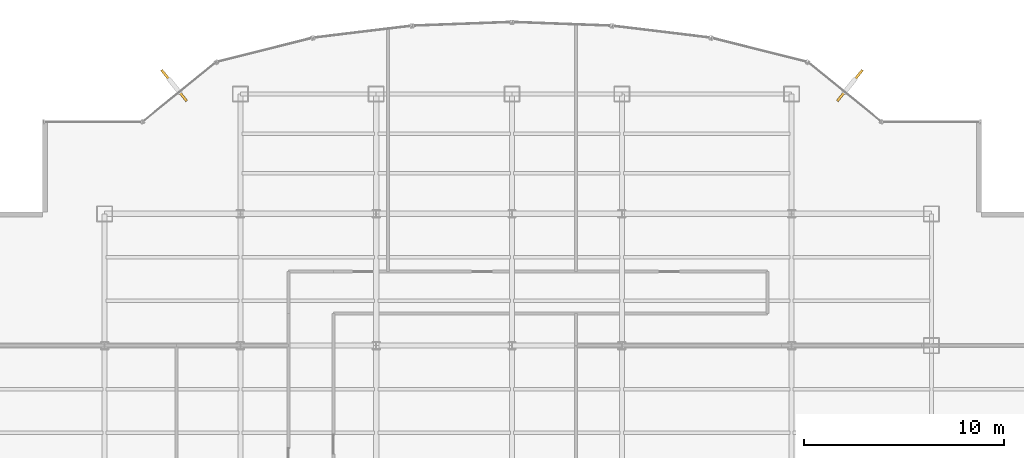
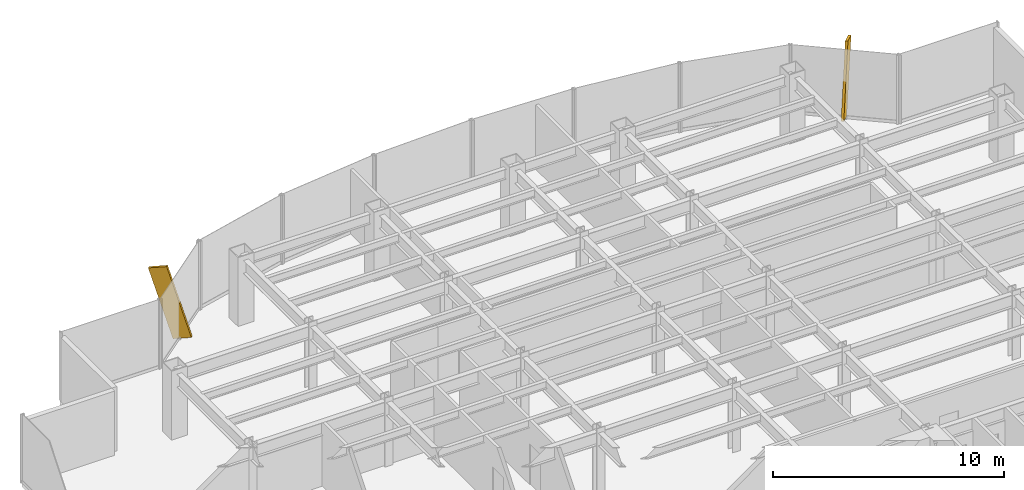
# One storey, part 25 of 26: 2 shading devices.
"""IFC4 building model written with IfcOpenShell, lengths in metres."""

import ifcopenshell
import ifcopenshell.guid

model = None  # the IFC model being written
_history = None  # IfcOwnerHistory: only IFC2X3 demands one
_inside = {}  # id of a spatial element -> (the spatial element, [elements in it])
_under = {}  # id of a project, library or spatial element -> (it, [spatial elements below it])
_declared = {}  # id of a project -> (the project, [libraries it declares])
_typed = {}  # id of a type object -> (the type object, [elements of that type])
_made_of = {}  # id of a material, layer set ... -> (it, [elements and type objects made of it])


def new_model(schema):
    """Start an empty IFC model of exactly this schema.

    Asked for "IFC4X3", IfcOpenShell would pick the latest addendum, in which some entities
    have other attributes; the version numbers below select the first issue.
    IFC2X3 requires an IfcOwnerHistory on every rooted entity: one is made here for all.
    """
    global model, _history
    if schema == "IFC4X3":
        model = ifcopenshell.file(schema_version=(4, 3, 0, 0))
    else:
        model = ifcopenshell.file(schema=schema)
    _inside.clear()
    _under.clear()
    _declared.clear()
    _typed.clear()
    _made_of.clear()
    _history = None
    if model.schema == "IFC2X3":
        org = make("IfcOrganization", Name="unknown")
        user = make(
            "IfcPersonAndOrganization",
            ThePerson=make("IfcPerson", FamilyName="unknown"),
            TheOrganization=org,
        )
        app = make(
            "IfcApplication",
            ApplicationDeveloper=org,
            Version="unknown",
            ApplicationFullName="unknown",
            ApplicationIdentifier="unknown",
        )
        _history = make(
            "IfcOwnerHistory",
            OwningUser=user,
            OwningApplication=app,
            ChangeAction="ADDED",
            CreationDate=0,
        )
    return model


def make(cls, **values):
    """One entity of the class cls with the attributes given. An attribute that is None is left unset."""
    return model.create_entity(
        cls, **{name: value for name, value in values.items() if value is not None}
    )


def rooted(cls, **values):
    """An entity with a GlobalId (a new one), such as an element, a storey or a relation."""
    return make(cls, GlobalId=ifcopenshell.guid.new(), OwnerHistory=_history, **values)


def si_unit(unit_type, name, prefix=None):
    """IfcSIUnit, for example si_unit("LENGTHUNIT", "METRE", prefix="MILLI")."""
    return make("IfcSIUnit", UnitType=unit_type, Prefix=prefix, Name=name)


def derived_unit(unit_type, elements):
    """IfcDerivedUnit: a product of units, each with its exponent."""
    return make(
        "IfcDerivedUnit",
        Elements=[
            make("IfcDerivedUnitElement", Unit=unit, Exponent=power)
            for unit, power in elements
        ],
        UnitType=unit_type,
    )


def assignment(units):
    """IfcUnitAssignment: the units of a project."""
    return None if units is None else make("IfcUnitAssignment", Units=units)


def point(xyz):
    """IfcCartesianPoint."""
    return None if xyz is None else make("IfcCartesianPoint", Coordinates=xyz)


def direction(xyz):
    """IfcDirection."""
    return None if xyz is None else make("IfcDirection", DirectionRatios=xyz)


def frame(location, z_axis=None, x_axis=None):
    """IfcAxis2Placement3D, a coordinate frame: its origin and axes. An axis left out is left unset."""
    return make(
        "IfcAxis2Placement3D",
        Location=point(location),
        Axis=direction(z_axis),
        RefDirection=direction(x_axis),
    )


def frame_2d(location, x_axis=None):
    """IfcAxis2Placement2D, a coordinate frame in the plane: its origin and x axis."""
    return make(
        "IfcAxis2Placement2D", Location=point(location), RefDirection=direction(x_axis)
    )


def origin():
    """The frame at (0, 0, 0) with its axes left unset."""
    return frame((0.0, 0.0, 0.0))


def origin_2d():
    """The frame at (0, 0) in the plane with its x axis left unset."""
    return frame_2d((0.0, 0.0))


def place(relative_to, where):
    """IfcLocalPlacement: puts the frame where relative to a parent placement (None: the world)."""
    return make(
        "IfcLocalPlacement", PlacementRelTo=relative_to, RelativePlacement=where
    )


def context(
    kind, dimensions, precision=None, world=None, true_north=None, identifier=None
):
    """IfcGeometricRepresentationContext, for example the 3D "Model" context."""
    return make(
        "IfcGeometricRepresentationContext",
        ContextIdentifier=identifier,
        ContextType=kind,
        CoordinateSpaceDimension=dimensions,
        Precision=precision,
        WorldCoordinateSystem=world,
        TrueNorth=true_north,
    )


def subcontext(parent, identifier, kind, view, scale=None):
    """IfcGeometricRepresentationSubContext, for example "Body" below "Model"."""
    return make(
        "IfcGeometricRepresentationSubContext",
        ContextIdentifier=identifier,
        ContextType=kind,
        ParentContext=parent,
        TargetScale=scale,
        TargetView=view,
    )


def project(units=None, contexts=None):
    """IfcProject with its units and contexts."""
    return rooted(
        "IfcProject",
        Name="project",
        RepresentationContexts=contexts,
        UnitsInContext=assignment(units),
    )


def spatial(cls, under=None, at=None, **own):
    """A site, building, storey or space (cls), placed at a placement, below another one or the project."""
    s = rooted(cls, ObjectPlacement=at, **own)
    if under is not None:
        _under.setdefault(under.id(), (under, []))[1].append(s)
    return s


def profile(cls, at=None, kind="AREA", **sizes):
    """A parametric profile (cls). Its sizes go by their IFC names, for example OverallWidth=200.0."""
    return make(cls, ProfileType=kind, Position=at, **sizes)


def rectangle(**sizes):
    """IfcRectangleProfileDef."""
    return profile("IfcRectangleProfileDef", **sizes)


def extrude(swept, where, along, depth):
    """IfcExtrudedAreaSolid: the profile swept, set in the frame where, extruded along a direction by depth."""
    return make(
        "IfcExtrudedAreaSolid",
        SweptArea=swept,
        Position=where,
        ExtrudedDirection=direction(along),
        Depth=depth,
    )


def shape(context_of_items, identifier, shape_type, items):
    """IfcShapeRepresentation: the items that make up one representation, for example the "Body"."""
    return make(
        "IfcShapeRepresentation",
        ContextOfItems=context_of_items,
        RepresentationIdentifier=identifier,
        RepresentationType=shape_type,
        Items=items,
    )


def source(mapping_origin, context_of_items, identifier, shape_type, items):
    """IfcRepresentationMap: a shape defined once, which mapped items show again and again."""
    return make(
        "IfcRepresentationMap",
        MappingOrigin=mapping_origin,
        MappedRepresentation=shape(context_of_items, identifier, shape_type, items),
    )


def transform(
    local_origin,
    x_axis=None,
    y_axis=None,
    z_axis=None,
    scale=None,
    scale2=None,
    scale3=None,
    uniform=True,
):
    """IfcCartesianTransformationOperator3D, or its non-uniform kind. x_axis, y_axis, z_axis: its Axis1, 2, 3."""
    if uniform:
        return make(
            "IfcCartesianTransformationOperator3D",
            Axis1=direction(x_axis),
            Axis2=direction(y_axis),
            LocalOrigin=point(local_origin),
            Scale=scale,
            Axis3=direction(z_axis),
        )
    return make(
        "IfcCartesianTransformationOperator3DnonUniform",
        Axis1=direction(x_axis),
        Axis2=direction(y_axis),
        LocalOrigin=point(local_origin),
        Scale=scale,
        Axis3=direction(z_axis),
        Scale2=scale2,
        Scale3=scale3,
    )


def mapped(mapping_source, mapping_target):
    """IfcMappedItem: shows the shape of a source again, moved by a transform."""
    return make(
        "IfcMappedItem", MappingSource=mapping_source, MappingTarget=mapping_target
    )


def material(Name=None, Category=None):
    """IfcMaterial."""
    return make("IfcMaterial", Name=Name, Category=Category)


def made_of(thing, what):
    """Note that an element or type object is made of a material, layer set ...; save() writes the relation."""
    if what is not None:
        _made_of.setdefault(what.id(), (what, []))[1].append(thing)
    return thing


def type_object(cls, material=None, **own):
    """A type object (cls), such as IfcWallType, which elements share."""
    return made_of(rooted(cls, **own), material)


def element(
    cls,
    number,
    at=None,
    inside=None,
    cuts=None,
    type_object=None,
    material=None,
    context=None,
    identifier="Body",
    shape_type=None,
    held_by="IfcProductDefinitionShape",
    body=None,
    shapes=None,
    **own,
):
    """One element of the class cls, such as IfcWall. Its Tag is "e" and its number.

    at: its placement. inside: the storey or other place that contains it. cuts: it is an
    opening in that element (IfcRelVoidsElement). A single representation is given by context,
    identifier, shape_type and body (its items); several are given by shapes. held_by: the class
    of the entity that holds the representations. save() writes the other relations.
    """
    e = rooted(cls, Tag="e%d" % number, ObjectPlacement=at, **own)
    if body is not None:
        shapes = [shape(context, identifier, shape_type, body)]
    if shapes is not None:
        e.Representation = make(held_by, Representations=shapes)
    if inside is not None:
        _inside.setdefault(inside.id(), (inside, []))[1].append(e)
    if cuts is not None:
        rooted(
            "IfcRelVoidsElement", RelatingBuildingElement=cuts, RelatedOpeningElement=e
        )
    if type_object is not None:
        _typed.setdefault(type_object.id(), (type_object, []))[1].append(e)
    return made_of(e, material)


def aggregate(whole, parts):
    """IfcRelAggregates: a whole, such as a stair, and the parts it consists of."""
    return rooted("IfcRelAggregates", RelatingObject=whole, RelatedObjects=parts)


def save(model, path):
    """Write the relations noted so far, then the file.

    IfcRelAggregates (storeys below a building ...), IfcRelContainedInSpatialStructure (elements
    in a storey), IfcRelDefinesByType, IfcRelAssociatesMaterial and IfcRelDeclares: one each for
    every whole, place, type object, material and project.
    """
    for whole, parts in _under.values():
        aggregate(whole, parts)
    for where, things in _inside.values():
        rooted(
            "IfcRelContainedInSpatialStructure",
            RelatedElements=things,
            RelatingStructure=where,
        )
    for kind, things in _typed.values():
        rooted("IfcRelDefinesByType", RelatedObjects=things, RelatingType=kind)
    for what, things in _made_of.values():
        rooted("IfcRelAssociatesMaterial", RelatedObjects=things, RelatingMaterial=what)
    for by, libraries in _declared.values():
        rooted("IfcRelDeclares", RelatingContext=by, RelatedDefinitions=libraries)
    model.write(path)


model = new_model("IFC4")

# Units and contexts
model_context = context("Model", 3, precision=1e-05, world=origin(), true_north=direction((0.0, 1.0)))
body_context = subcontext(model_context, "Body", "Model", "MODEL_VIEW")
ifc_project = project(units=[si_unit("LENGTHUNIT", "METRE"), si_unit("AREAUNIT", "SQUARE_METRE"), si_unit("VOLUMEUNIT", "CUBIC_METRE"), si_unit("PLANEANGLEUNIT", "RADIAN"), si_unit("MASSUNIT", "GRAM", prefix="KILO"), derived_unit("THERMALTRANSMITTANCEUNIT", [(si_unit("POWERUNIT", "WATT"), 1), (si_unit("LENGTHUNIT", "METRE"), -2), (si_unit("THERMODYNAMICTEMPERATUREUNIT", "KELVIN"), -1)])], contexts=[model_context])

# Site, building, storey
site_placement = place(None, origin())
site = spatial("IfcSite", under=ifc_project, at=site_placement, CompositionType="ELEMENT")
building_placement = place(site_placement, origin())
building = spatial("IfcBuilding", under=site, at=building_placement, Name="Skarnbrae Concourse Arena and Tower", CompositionType="ELEMENT")
storey_placement = place(building_placement, frame((0.0, 0.0, 110.550048828125)))
storey = spatial("IfcBuildingStorey", under=building, at=storey_placement, Name="L27", CompositionType="ELEMENT", Elevation=110.550048828125)

# Shading devices
ifc_material = material(Name="Bronze anodised aluminium 6063-T6", Category="aluminium")
shading_device_type = type_object("IfcShadingDeviceType", Name="SHD-BRONZE-FIN-900", PredefinedType="USERDEFINED", material=ifc_material)
shared_shape = source(origin(), body_context, "Body", "SweptSolid", [
    extrude(rectangle(XDim=0.1201171875, YDim=0.89990234375, at=origin_2d()), origin(), (0.0, 0.0, 1.0), 3.64990234375),
])
for number, where, z_axis, x_axis, name in (
    (1, (44.55859375, 40.37841796875, 0.092529296875), (0.198264255826, 0.24412076913, 0.949260941439), (0.776244501415, -0.630431974144, 0.0), "L27 Outward-leaning bronze shading fin 08"),
    (2, (11.44140625, 40.37841796875, 0.092529296875), (-0.198264255826, 0.24412076913, 0.949260941439), (0.776244501415, 0.630431974144, 0.0), "L27 Outward-leaning bronze shading fin 15"),
):
    element("IfcShadingDevice", number, at=place(storey_placement, frame(where, z_axis=z_axis, x_axis=x_axis)), inside=storey, type_object=shading_device_type, Name=name, ObjectType="FIN", PredefinedType="USERDEFINED", context=body_context, shape_type="MappedRepresentation", body=[
        mapped(shared_shape, transform((0.0, 0.0, 0.0))),
    ])

save(model, "model.ifc")
